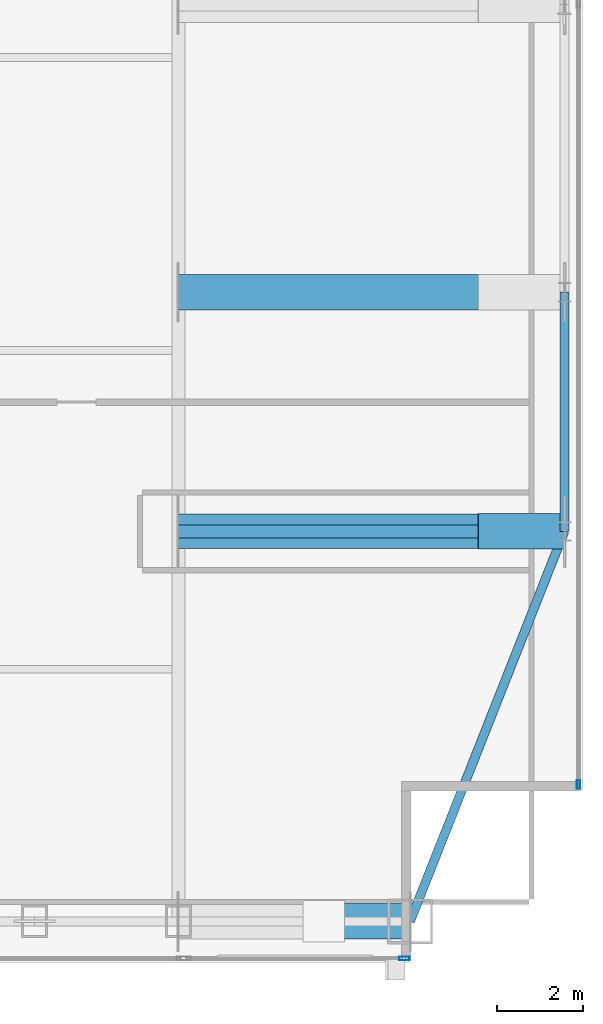
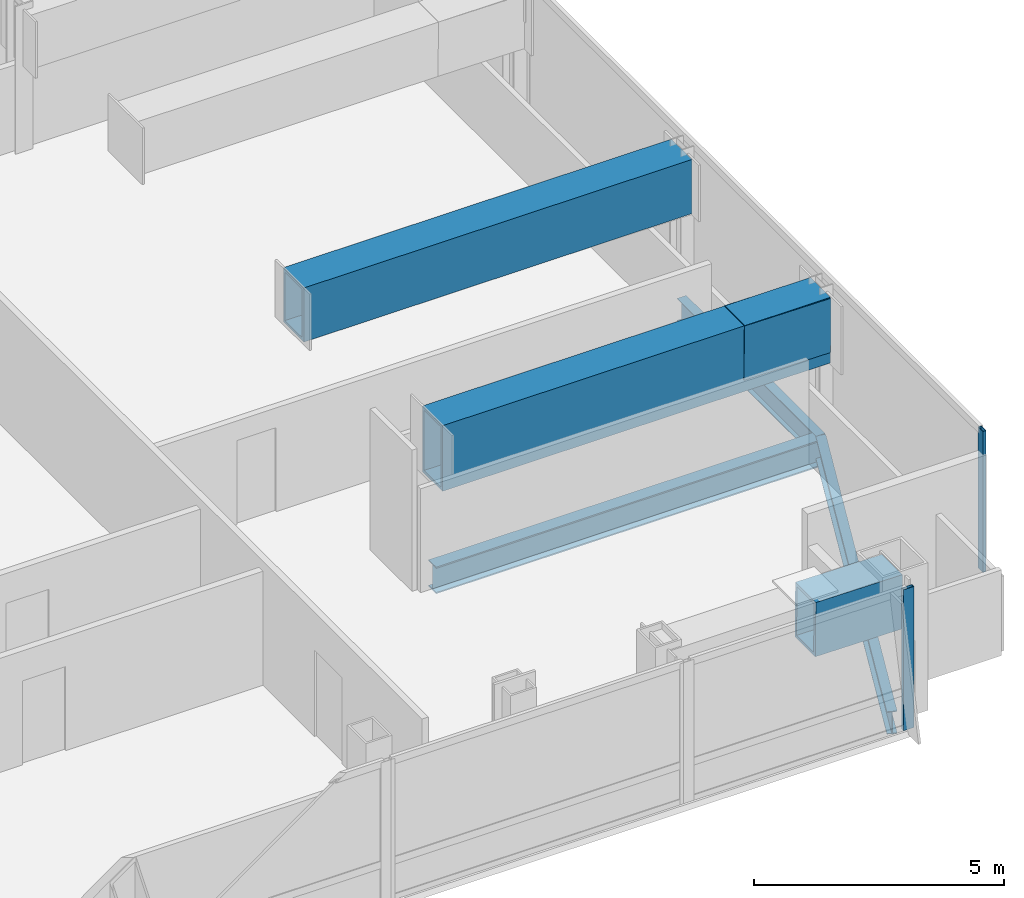
# One storey, part 13 of 26: 7 beams, 2 members, 2 elements without a shape of their own.
"""IFC4 building model written with IfcOpenShell, lengths in metres."""

from ifc_helpers import new_model, si_unit, direction, frame, origin, origin_2d, place, context, subcontext, project, spatial, hollow_rectangle, i_section, extrude, material, material_profile, profile_set, type_object, element, aggregate, save


model = new_model("IFC4")

# Units and contexts
model_context = context("Model", 3, precision=1e-05, world=origin(), true_north=direction((0.0, 1.0)))
body_context = subcontext(model_context, "Body", "Model", "MODEL_VIEW")
ifc_project = project(units=[si_unit("LENGTHUNIT", "METRE"), si_unit("AREAUNIT", "SQUARE_METRE"), si_unit("VOLUMEUNIT", "CUBIC_METRE"), si_unit("PLANEANGLEUNIT", "RADIAN"), si_unit("MASSUNIT", "GRAM", prefix="KILO")], contexts=[model_context])

# Site, building, storey
site_placement = place(None, origin())
site = spatial("IfcSite", under=ifc_project, at=site_placement, CompositionType="ELEMENT")
building_placement = place(site_placement, origin())
building = spatial("IfcBuilding", under=site, at=building_placement, Name="Khoronbel Lancet Exchange", CompositionType="ELEMENT")
storey_placement = place(building_placement, frame((0.0, 0.0, 287.800048828125)))
storey = spatial("IfcBuildingStorey", under=building, at=storey_placement, Name="L74", CompositionType="ELEMENT", Elevation=287.800048828125)

# Beams
ifc_material_1 = material(Name="Steel S355", Category="steel")
ifc_material_profile_1 = material_profile(ifc_material_1, i_section(OverallWidth=0.300048828125, OverallDepth=0.64990234375, WebThickness=0.01611328125, FlangeThickness=0.031005859375, at=origin_2d()), Name="HEB 650")
ifc_profile_set_1 = profile_set([ifc_material_profile_1], Name="Steel S355")
beam_type_1 = type_object("IfcBeamType", Name="BM-BG4", PredefinedType="BEAM", material=ifc_profile_set_1)
beam_1_placement = place(storey_placement, frame((54.675048828125, 19.199951171875, -0.485107421875), z_axis=(1.0, 0.0, 0.0), x_axis=(0.0, 1.0, 0.0)))
element("IfcBeam", 1, at=beam_1_placement, inside=storey, type_object=beam_type_1, Name="Level L74 east lens tie girder LG1E", PredefinedType="BEAM", context=body_context, shape_type="SweptSolid", body=[
    extrude(i_section(OverallWidth=0.300048828125, OverallDepth=0.64990234375, WebThickness=0.01611328125, FlangeThickness=0.031005859375, at=origin_2d()), origin(), (0.0, 0.0, 1.0), 8.954833984375),
])
ifc_material_profile_2 = material_profile(ifc_material_1, i_section(OverallWidth=0.2099609375, OverallDepth=0.550048828125, WebThickness=0.010986328125, FlangeThickness=0.01708984375, at=origin_2d()), Name="IPE 550")
ifc_profile_set_2 = profile_set([ifc_material_profile_2], Name="Steel S355")
beam_type_2 = type_object("IfcBeamType", Name="BM-BSP3", PredefinedType="SPANDREL", material=ifc_profile_set_2)
beam_2_placement = place(storey_placement, frame((60.050048828125, 10.14990234375, -0.43505859375), z_axis=(0.367828403855, 0.929893684954, 0.0), x_axis=(-0.929893684954, 0.367828403855, 0.0)))
element("IfcBeam", 2, at=beam_2_placement, inside=storey, type_object=beam_type_2, Name="Level L74 perimeter spandrel beam SP10", PredefinedType="SPANDREL", context=body_context, shape_type="SweptSolid", body=[
    extrude(i_section(OverallWidth=0.2099609375, OverallDepth=0.550048828125, WebThickness=0.010986328125, FlangeThickness=0.01708984375, at=origin_2d()), origin(), (0.0, 0.0, 1.0), 9.732421875),
])
beam_3_placement = place(storey_placement, frame((63.6298828125, 19.199951171875, -0.43505859375), z_axis=(0.0, 1.0, 0.0), x_axis=(-1.0, 0.0, 0.0)))
element("IfcBeam", 3, at=beam_3_placement, inside=storey, type_object=beam_type_2, Name="Level L74 perimeter spandrel beam SP11", PredefinedType="SPANDREL", context=body_context, shape_type="SweptSolid", body=[
    extrude(i_section(OverallWidth=0.2099609375, OverallDepth=0.550048828125, WebThickness=0.010986328125, FlangeThickness=0.01708984375, at=origin_2d()), origin(), (0.0, 0.0, 1.0), 5.550048828125),
])
ifc_material_2 = material(Name="Steel S460", Category="steel")
ifc_material_profile_3 = material_profile(ifc_material_2, hollow_rectangle(XDim=0.800048828125, YDim=1.60009765625, WallThickness=0.06494140625, at=origin_2d()), Name="BOX 800x1600x65")
ifc_profile_set_3 = profile_set([ifc_material_profile_3], Name="Steel S460")
beam_type_3 = type_object("IfcBeamType", Name="BM-TG2", PredefinedType="USERDEFINED", material=ifc_profile_set_3)
beam_4_placement = place(storey_placement, frame((54.675048828125, 19.199951171875, 2.639892578125), z_axis=(1.0, 0.0, 0.0), x_axis=(0.0, 1.0, 0.0)))
element("IfcBeam", 4, at=beam_4_placement, inside=storey, type_object=beam_type_3, Name="Lens setback S460 transfer girder L74-E1", ObjectType="TRANSFER GIRDER", PredefinedType="USERDEFINED", context=body_context, shape_type="SweptSolid", body=[
    extrude(hollow_rectangle(XDim=0.800048828125, YDim=1.60009765625, WallThickness=0.06494140625, at=origin_2d()), origin(), (0.0, 0.0, 1.0), 8.954833984375),
])
ifc_material_profile_4 = material_profile(ifc_material_2, hollow_rectangle(XDim=0.820068359375, YDim=1.320068359375, WallThickness=0.070068359375, at=origin_2d()), Name="BOX 820x1320x70")
ifc_profile_set_4 = profile_set([ifc_material_profile_4], Name="Steel S460")
beam_type_4 = type_object("IfcBeamType", Name="BM-TG4", PredefinedType="USERDEFINED", material=ifc_profile_set_4)
for number, where, z_axis, x_axis, name in (
    (5, (60.050048828125, 10.14990234375, 2.760009765625), (-0.99994990606, 0.0, 0.010009264196), (0.0, -1.0, 0.0), "Setback transfer knee-brace girder L74-MC-SE"),
    (6, (63.6298828125, 19.199951171875, 2.760009765625), (-0.99994990606, 0.0, 0.010009264196), (0.0, -1.0, 0.0), "Setback transfer knee-brace girder L74-EC-1"),
):
    element("IfcBeam", number, at=place(storey_placement, frame(where, z_axis=z_axis, x_axis=x_axis)), inside=storey, type_object=beam_type_4, Name=name, ObjectType="TRANSFER GIRDER", PredefinedType="USERDEFINED", context=body_context, shape_type="SweptSolid", body=[
        extrude(hollow_rectangle(XDim=0.820068359375, YDim=1.320068359375, WallThickness=0.070068359375, at=origin_2d()), origin(), (0.0, 0.0, 1.0), 2.0),
    ])
beam_5_placement = place(storey_placement, frame((54.675048828125, 24.75, 2.780029296875), z_axis=(1.0, 0.0, 0.0), x_axis=(0.0, 1.0, 0.0)))
element("IfcBeam", 7, at=beam_5_placement, inside=storey, type_object=beam_type_4, Name="Lens setback S460 transfer girder L74-E2", ObjectType="TRANSFER GIRDER", PredefinedType="USERDEFINED", context=body_context, shape_type="SweptSolid", body=[
    extrude(hollow_rectangle(XDim=0.820068359375, YDim=1.320068359375, WallThickness=0.070068359375, at=origin_2d()), origin(), (0.0, 0.0, 1.0), 8.954833984375),
])

# Curtain wall, member
ifc_material_3 = material(Name="Low-E Solar Control Insulating Glass", Category="glass")
curtain_wall_type_1 = type_object("IfcCurtainWallType", Name="CW-3", PredefinedType="NOTDEFINED", material=ifc_material_3)
curtain_wall_1_placement = place(storey_placement, origin())
curtain_wall_1 = element("IfcCurtainWall", 8, at=curtain_wall_1_placement, inside=storey, type_object=curtain_wall_type_1, Name="Unitised curtain wall CW-L74-SEV", PredefinedType="NOTDEFINED")
ifc_material_4 = material(Name="Bronze-Anodised Aluminium 6063-T6", Category="aluminium")
ifc_material_profile_5 = material_profile(ifc_material_4, hollow_rectangle(XDim=0.0849609375, YDim=0.239990234375, WallThickness=0.006103515625, at=origin_2d()), Name="ALU MULLION 85x240")
ifc_profile_set_5 = profile_set([ifc_material_profile_5], Name="Bronze-Anodised Aluminium 6063-T6")
member_type_1 = type_object("IfcMemberType", Name="MEM-CWM1", PredefinedType="MULLION", material=ifc_profile_set_5)
member_1_placement = place(storey_placement, frame((59.91748046875, 9.2900390625, 0.0), z_axis=(0.0, 0.0, 1.0), x_axis=(0.0, 1.0, 0.0)))
member_1 = element("IfcMember", 9, at=member_1_placement, type_object=member_type_1, Name="CW3 mullion 2", PredefinedType="MULLION", context=body_context, shape_type="SweptSolid", body=[
    extrude(hollow_rectangle(XDim=0.0849609375, YDim=0.239990234375, WallThickness=0.006103515625, at=origin_2d()), origin(), (0.0, 0.0, 1.0), 3.43994140625),
])
aggregate(curtain_wall_1, [member_1])

curtain_wall_type_2 = type_object("IfcCurtainWallType", Name="CW-4", PredefinedType="NOTDEFINED", material=ifc_material_3)
curtain_wall_2_placement = place(storey_placement, origin())
curtain_wall_2 = element("IfcCurtainWall", 10, at=curtain_wall_2_placement, inside=storey, type_object=curtain_wall_type_2, Name="Unitised curtain wall CW-L74-E09", PredefinedType="NOTDEFINED")
ifc_material_profile_6 = material_profile(ifc_material_4, hollow_rectangle(XDim=0.074951171875, YDim=0.199951171875, WallThickness=0.0048828125, at=origin_2d()), Name="ALU MULLION 75x200")
ifc_profile_set_6 = profile_set([ifc_material_profile_6], Name="Bronze-Anodised Aluminium 6063-T6")
member_type_2 = type_object("IfcMemberType", Name="MEM-CWM2", PredefinedType="MULLION", material=ifc_profile_set_6)
member_2_placement = place(storey_placement, frame((63.9599609375, 13.327392578125, 0.0), z_axis=(0.0, 0.0, 1.0), x_axis=(1.0, 0.0, 0.0)))
member_2 = element("IfcMember", 11, at=member_2_placement, type_object=member_type_2, Name="CW4 mullion 3", PredefinedType="MULLION", context=body_context, shape_type="SweptSolid", body=[
    extrude(hollow_rectangle(XDim=0.074951171875, YDim=0.199951171875, WallThickness=0.0048828125, at=origin_2d()), origin(), (0.0, 0.0, 1.0), 3.43994140625),
])
aggregate(curtain_wall_2, [member_2])

save(model, "model.ifc")
